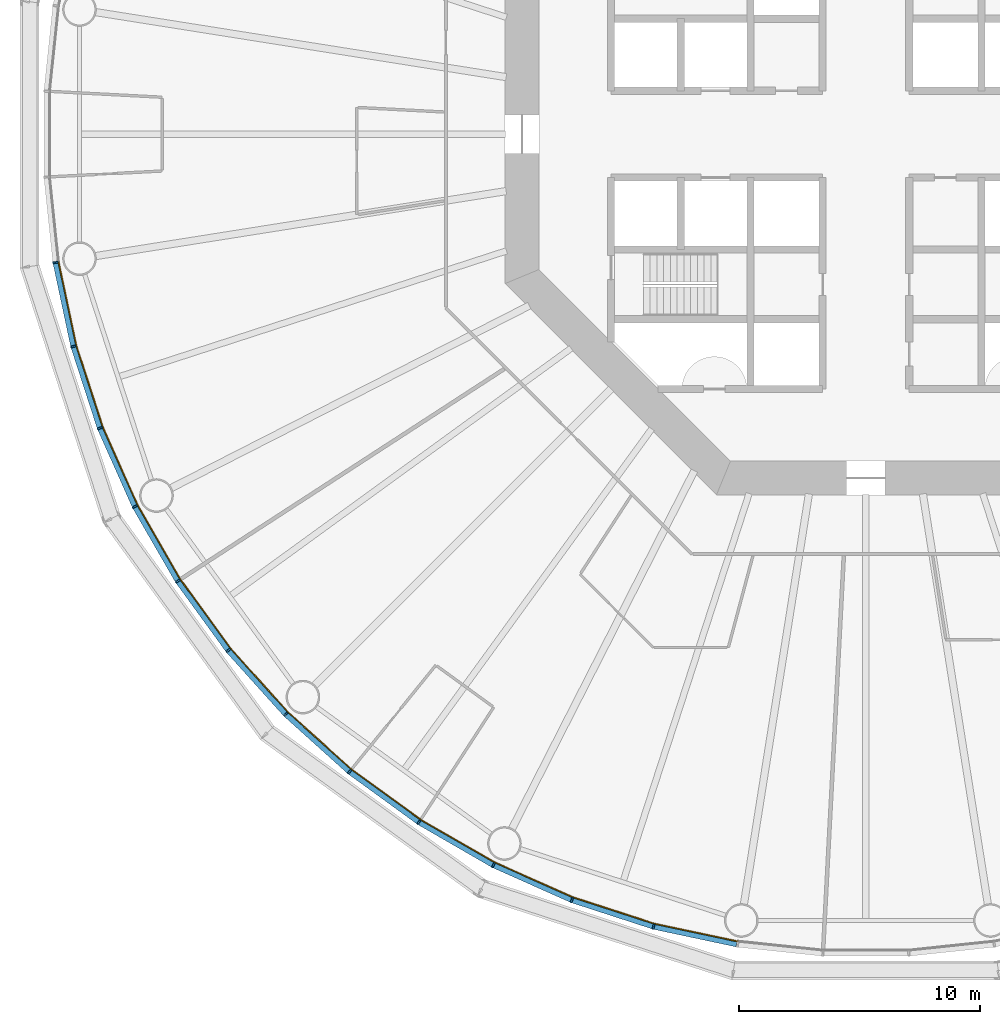
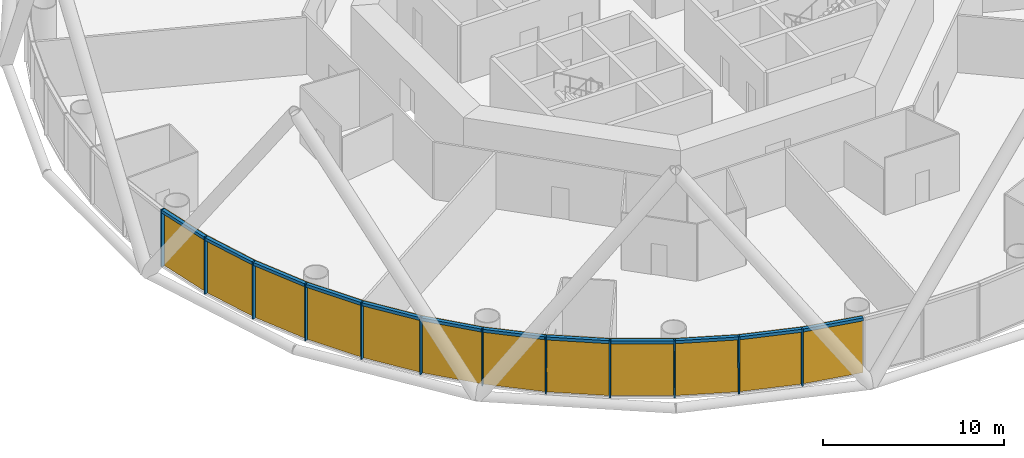
# One storey, part 7 of 13: 24 members, 4 curtain walls.
"""IFC4 building model written with IfcOpenShell, lengths in metres."""

from ifc_helpers import new_model, si_unit, direction, frame, origin, origin_2d, place, context, subcontext, project, spatial, polyline, rectangle, outline, extrude, material, layer, layer_set, material_profile, profile_set, type_object, element, aggregate, save


model = new_model("IFC4")

# Units and contexts
model_context = context("Model", 3, precision=1e-05, world=origin(), true_north=direction((0.0, 1.0)))
body_context = subcontext(model_context, "Body", "Model", "MODEL_VIEW")
ifc_project = project(units=[si_unit("LENGTHUNIT", "METRE"), si_unit("AREAUNIT", "SQUARE_METRE"), si_unit("VOLUMEUNIT", "CUBIC_METRE"), si_unit("PLANEANGLEUNIT", "RADIAN"), si_unit("MASSUNIT", "GRAM", prefix="KILO")], contexts=[model_context])

# Member
ifc_material_1 = material(Name="Anodised aluminium", Category="aluminium")
ifc_material_profile_1 = material_profile(ifc_material_1, rectangle(XDim=0.074951171875, YDim=0.219970703125, at=origin_2d()), Name="Mullion 75 x 220 mm anodised aluminium")
ifc_profile_set_1 = profile_set([ifc_material_profile_1], Name="Anodised aluminium")
member_type_1 = type_object("IfcMemberType", Name="Mullion 75 x 220 mm anodised aluminium", PredefinedType="MULLION", material=ifc_profile_set_1)
site_placement = place(None, origin())
building_placement = place(site_placement, origin())
storey_placement = place(building_placement, frame((0.0, 0.0, 38.0)))
member_1_placement = place(storey_placement, frame((56.31005859375, 74.6640625, 0.0), z_axis=(0.0, 0.0, 1.0), x_axis=(0.15643446504, -0.987688340595, 0.0)))
member_1 = element("IfcMember", 1, at=member_1_placement, type_object=member_type_1, Name="MULLION L07-30", PredefinedType="MULLION", context=body_context, shape_type="SweptSolid", body=[
    extrude(rectangle(XDim=0.074951171875, YDim=0.219970703125, at=origin_2d()), origin(), (0.0, 0.0, 1.0), 3.85009765625),
])

member_2_placement = place(storey_placement, frame((57.05224609375, 71.171630859375, 0.0), z_axis=(0.0, 0.0, 1.0), x_axis=(0.258819045103, -0.965925826289, 0.0)))
member_2 = element("IfcMember", 2, at=member_2_placement, type_object=member_type_1, Name="MULLION L07-31", PredefinedType="MULLION", context=body_context, shape_type="SweptSolid", body=[
    extrude(rectangle(XDim=0.074951171875, YDim=0.219970703125, at=origin_2d()), origin(), (0.0, 0.0, 1.0), 3.85009765625),
])

member_3_placement = place(storey_placement, frame((58.155517578125, 67.776123046875, 0.0), z_axis=(0.0, 0.0, 1.0), x_axis=(0.358367949545, -0.933580426497, 0.0)))
member_3 = element("IfcMember", 3, at=member_3_placement, type_object=member_type_1, Name="MULLION L07-32", PredefinedType="MULLION", context=body_context, shape_type="SweptSolid", body=[
    extrude(rectangle(XDim=0.074951171875, YDim=0.219970703125, at=origin_2d()), origin(), (0.0, 0.0, 1.0), 3.85009765625),
])

member_4_placement = place(storey_placement, frame((59.607666015625, 64.514404296875, 0.0), z_axis=(0.0, 0.0, 1.0), x_axis=(0.45399049974, -0.891006524188, 0.0)))
member_4 = element("IfcMember", 4, at=member_4_placement, type_object=member_type_1, Name="MULLION L07-33", PredefinedType="MULLION", context=body_context, shape_type="SweptSolid", body=[
    extrude(rectangle(XDim=0.074951171875, YDim=0.219970703125, at=origin_2d()), origin(), (0.0, 0.0, 1.0), 3.85009765625),
])

member_5_placement = place(storey_placement, frame((61.39306640625, 61.42236328125, 0.0), z_axis=(0.0, 0.0, 1.0), x_axis=(0.544639035015, -0.838670567945, 0.0)))
member_5 = element("IfcMember", 5, at=member_5_placement, type_object=member_type_1, Name="MULLION L07-34", PredefinedType="MULLION", context=body_context, shape_type="SweptSolid", body=[
    extrude(rectangle(XDim=0.074951171875, YDim=0.219970703125, at=origin_2d()), origin(), (0.0, 0.0, 1.0), 3.85009765625),
])

member_6_placement = place(storey_placement, frame((63.491455078125, 58.533935546875, 0.0), z_axis=(0.0, 0.0, 1.0), x_axis=(0.62932039105, -0.777145961457, 0.0)))
member_6 = element("IfcMember", 6, at=member_6_placement, type_object=member_type_1, Name="MULLION L07-35", PredefinedType="MULLION", context=body_context, shape_type="SweptSolid", body=[
    extrude(rectangle(XDim=0.074951171875, YDim=0.219970703125, at=origin_2d()), origin(), (0.0, 0.0, 1.0), 3.85009765625),
])

member_7_placement = place(storey_placement, frame((65.880615234375, 55.880615234375, 0.0), z_axis=(0.0, 0.0, 1.0), x_axis=(0.707106781187, -0.707106781187, 0.0)))
member_7 = element("IfcMember", 7, at=member_7_placement, type_object=member_type_1, Name="MULLION L07-36", PredefinedType="MULLION", context=body_context, shape_type="SweptSolid", body=[
    extrude(rectangle(XDim=0.074951171875, YDim=0.219970703125, at=origin_2d()), origin(), (0.0, 0.0, 1.0), 3.85009765625),
])

member_8_placement = place(storey_placement, frame((68.533935546875, 53.491455078125, 0.0), z_axis=(0.0, 0.0, 1.0), x_axis=(0.777145961457, -0.62932039105, 0.0)))
member_8 = element("IfcMember", 8, at=member_8_placement, type_object=member_type_1, Name="MULLION L07-37", PredefinedType="MULLION", context=body_context, shape_type="SweptSolid", body=[
    extrude(rectangle(XDim=0.074951171875, YDim=0.219970703125, at=origin_2d()), origin(), (0.0, 0.0, 1.0), 3.85009765625),
])

member_9_placement = place(storey_placement, frame((71.42236328125, 51.39306640625, 0.0), z_axis=(0.0, 0.0, 1.0), x_axis=(0.838670567945, -0.544639035015, 0.0)))
member_9 = element("IfcMember", 9, at=member_9_placement, type_object=member_type_1, Name="MULLION L07-38", PredefinedType="MULLION", context=body_context, shape_type="SweptSolid", body=[
    extrude(rectangle(XDim=0.074951171875, YDim=0.219970703125, at=origin_2d()), origin(), (0.0, 0.0, 1.0), 3.85009765625),
])

member_10_placement = place(storey_placement, frame((74.514404296875, 49.607666015625, 0.0), z_axis=(0.0, 0.0, 1.0), x_axis=(0.891006524188, -0.45399049974, 0.0)))
member_10 = element("IfcMember", 10, at=member_10_placement, type_object=member_type_1, Name="MULLION L07-39", PredefinedType="MULLION", context=body_context, shape_type="SweptSolid", body=[
    extrude(rectangle(XDim=0.074951171875, YDim=0.219970703125, at=origin_2d()), origin(), (0.0, 0.0, 1.0), 3.85009765625),
])

member_11_placement = place(storey_placement, frame((77.776123046875, 48.155517578125, 0.0), z_axis=(0.0, 0.0, 1.0), x_axis=(0.933580426497, -0.358367949545, 0.0)))
member_11 = element("IfcMember", 11, at=member_11_placement, type_object=member_type_1, Name="MULLION L07-40", PredefinedType="MULLION", context=body_context, shape_type="SweptSolid", body=[
    extrude(rectangle(XDim=0.074951171875, YDim=0.219970703125, at=origin_2d()), origin(), (0.0, 0.0, 1.0), 3.85009765625),
])

member_12_placement = place(storey_placement, frame((81.171630859375, 47.05224609375, 0.0), z_axis=(0.0, 0.0, 1.0), x_axis=(0.965925826289, -0.258819045103, 0.0)))
member_12 = element("IfcMember", 12, at=member_12_placement, type_object=member_type_1, Name="MULLION L07-41", PredefinedType="MULLION", context=body_context, shape_type="SweptSolid", body=[
    extrude(rectangle(XDim=0.074951171875, YDim=0.219970703125, at=origin_2d()), origin(), (0.0, 0.0, 1.0), 3.85009765625),
])

ifc_material_2 = material(Name="Anodised aluminium", Category="aluminium")
ifc_material_profile_2 = material_profile(ifc_material_2, rectangle(XDim=0.219970703125, YDim=0.199951171875, at=origin_2d()), Name="Transom 200 x 220 mm anodised aluminium")
ifc_profile_set_2 = profile_set([ifc_material_profile_2], Name="Anodised aluminium")
member_type_2 = type_object("IfcMemberType", Name="Transom 200 x 220 mm anodised aluminium", PredefinedType="USERDEFINED", material=ifc_profile_set_2)
member_13_placement = place(storey_placement, frame((56.31884765625, 74.62158203125, 3.75), z_axis=(0.207920776701, -0.978145669426, 0.0), x_axis=(0.978145669426, 0.207920776701, 0.0)))
member_13 = element("IfcMember", 13, at=member_13_placement, type_object=member_type_2, Name="TRANSOM L07-30", ObjectType="TRANSOM", PredefinedType="USERDEFINED", context=body_context, shape_type="SweptSolid", body=[
    extrude(rectangle(XDim=0.219970703125, YDim=0.199951171875, at=origin_2d()), origin(), (0.0, 0.0, 1.0), 3.48388671875),
])

member_14_placement = place(storey_placement, frame((57.0654296875, 71.130615234375, 3.75), z_axis=(0.309029029702, -0.951052605696, 0.0), x_axis=(0.951052605696, 0.309029029702, 0.0)))
member_14 = element("IfcMember", 14, at=member_14_placement, type_object=member_type_2, Name="TRANSOM L07-31", ObjectType="TRANSOM", PredefinedType="USERDEFINED", context=body_context, shape_type="SweptSolid", body=[
    extrude(rectangle(XDim=0.219970703125, YDim=0.199951171875, at=origin_2d()), origin(), (0.0, 0.0, 1.0), 3.484130859375),
])

member_15_placement = place(storey_placement, frame((58.173095703125, 67.736572265625, 3.75), z_axis=(0.406736576304, -0.913545487371, 0.0), x_axis=(0.913545487371, 0.406736576304, 0.0)))
member_15 = element("IfcMember", 15, at=member_15_placement, type_object=member_type_2, Name="TRANSOM L07-32", ObjectType="TRANSOM", PredefinedType="USERDEFINED", context=body_context, shape_type="SweptSolid", body=[
    extrude(rectangle(XDim=0.219970703125, YDim=0.199951171875, at=origin_2d()), origin(), (0.0, 0.0, 1.0), 3.48388671875),
])

member_16_placement = place(storey_placement, frame((59.629150390625, 64.476806640625, 3.75), z_axis=(0.500005538244, -0.866022206254, 0.0), x_axis=(0.866022206254, 0.500005538244, 0.0)))
member_16 = element("IfcMember", 16, at=member_16_placement, type_object=member_type_2, Name="TRANSOM L07-33", ObjectType="TRANSOM", PredefinedType="USERDEFINED", context=body_context, shape_type="SweptSolid", body=[
    extrude(rectangle(XDim=0.219970703125, YDim=0.199951171875, at=origin_2d()), origin(), (0.0, 0.0, 1.0), 3.48388671875),
])

member_17_placement = place(storey_placement, frame((61.418212890625, 61.38720703125, 3.75), z_axis=(0.587821627006, -0.80899056535, 0.0), x_axis=(0.80899056535, 0.587821627006, 0.0)))
member_17 = element("IfcMember", 17, at=member_17_placement, type_object=member_type_2, Name="TRANSOM L07-34", ObjectType="TRANSOM", PredefinedType="USERDEFINED", context=body_context, shape_type="SweptSolid", body=[
    extrude(rectangle(XDim=0.219970703125, YDim=0.199951171875, at=origin_2d()), origin(), (0.0, 0.0, 1.0), 3.48388671875),
])

member_18_placement = place(storey_placement, frame((63.520263671875, 58.501708984375, 3.75), z_axis=(0.669138930974, -0.743137329876, 0.0), x_axis=(0.743137329876, 0.669138930974, 0.0)))
member_18 = element("IfcMember", 18, at=member_18_placement, type_object=member_type_2, Name="TRANSOM L07-35", ObjectType="TRANSOM", PredefinedType="USERDEFINED", context=body_context, shape_type="SweptSolid", body=[
    extrude(rectangle(XDim=0.219970703125, YDim=0.199951171875, at=origin_2d()), origin(), (0.0, 0.0, 1.0), 3.484130859375),
])

member_19_placement = place(storey_placement, frame((65.91259765625, 55.8515625, 3.75), z_axis=(0.743137329876, -0.669138930974, 0.0), x_axis=(0.669138930974, 0.743137329876, 0.0)))
member_19 = element("IfcMember", 19, at=member_19_placement, type_object=member_type_2, Name="TRANSOM L07-36", ObjectType="TRANSOM", PredefinedType="USERDEFINED", context=body_context, shape_type="SweptSolid", body=[
    extrude(rectangle(XDim=0.219970703125, YDim=0.199951171875, at=origin_2d()), origin(), (0.0, 0.0, 1.0), 3.484130859375),
])

member_20_placement = place(storey_placement, frame((68.56884765625, 53.466064453125, 3.75), z_axis=(0.80899056535, -0.587821627006, 0.0), x_axis=(0.587821627006, 0.80899056535, 0.0)))
member_20 = element("IfcMember", 20, at=member_20_placement, type_object=member_type_2, Name="TRANSOM L07-37", ObjectType="TRANSOM", PredefinedType="USERDEFINED", context=body_context, shape_type="SweptSolid", body=[
    extrude(rectangle(XDim=0.219970703125, YDim=0.199951171875, at=origin_2d()), origin(), (0.0, 0.0, 1.0), 3.48388671875),
])

member_21_placement = place(storey_placement, frame((71.459716796875, 51.37109375, 3.75), z_axis=(0.866022206254, -0.500005538244, 0.0), x_axis=(0.500005538244, 0.866022206254, 0.0)))
member_21 = element("IfcMember", 21, at=member_21_placement, type_object=member_type_2, Name="TRANSOM L07-38", ObjectType="TRANSOM", PredefinedType="USERDEFINED", context=body_context, shape_type="SweptSolid", body=[
    extrude(rectangle(XDim=0.219970703125, YDim=0.199951171875, at=origin_2d()), origin(), (0.0, 0.0, 1.0), 3.48388671875),
])

member_22_placement = place(storey_placement, frame((74.553955078125, 49.590087890625, 3.75), z_axis=(0.913545487371, -0.406736576304, 0.0), x_axis=(0.406736576304, 0.913545487371, 0.0)))
member_22 = element("IfcMember", 22, at=member_22_placement, type_object=member_type_2, Name="TRANSOM L07-39", ObjectType="TRANSOM", PredefinedType="USERDEFINED", context=body_context, shape_type="SweptSolid", body=[
    extrude(rectangle(XDim=0.219970703125, YDim=0.199951171875, at=origin_2d()), origin(), (0.0, 0.0, 1.0), 3.48388671875),
])

member_23_placement = place(storey_placement, frame((77.817138671875, 48.14208984375, 3.75), z_axis=(0.951052605696, -0.309029029702, 0.0), x_axis=(0.309029029702, 0.951052605696, 0.0)))
member_23 = element("IfcMember", 23, at=member_23_placement, type_object=member_type_2, Name="TRANSOM L07-40", ObjectType="TRANSOM", PredefinedType="USERDEFINED", context=body_context, shape_type="SweptSolid", body=[
    extrude(rectangle(XDim=0.219970703125, YDim=0.199951171875, at=origin_2d()), origin(), (0.0, 0.0, 1.0), 3.484130859375),
])

member_24_placement = place(storey_placement, frame((81.2138671875, 47.043212890625, 3.75), z_axis=(0.978145669426, -0.207920776701, 0.0), x_axis=(0.207920776701, 0.978145669426, 0.0)))
member_24 = element("IfcMember", 24, at=member_24_placement, type_object=member_type_2, Name="TRANSOM L07-41", ObjectType="TRANSOM", PredefinedType="USERDEFINED", context=body_context, shape_type="SweptSolid", body=[
    extrude(rectangle(XDim=0.219970703125, YDim=0.199951171875, at=origin_2d()), origin(), (0.0, 0.0, 1.0), 3.48388671875),
])

# Site, building, storey
site = spatial("IfcSite", under=ifc_project, at=site_placement, CompositionType="ELEMENT")
building = spatial("IfcBuilding", under=site, at=building_placement, Name="Entoto Ring Tower", CompositionType="ELEMENT")
storey = spatial("IfcBuildingStorey", under=building, at=storey_placement, Name="L07", CompositionType="ELEMENT", Elevation=38.0)

# Curtain wall
ifc_material_3 = material(Name="Clear low-iron glass", Category="glass")
ifc_layer = layer(ifc_material_3, 0.0400390625)
ifc_layer_set = layer_set([ifc_layer], Name="Clear low-iron glass")
curtain_wall_type = type_object("IfcCurtainWallType", Name="Curtain wall system CW1 glazing 40 mm", PredefinedType="NOTDEFINED", material=ifc_layer_set)
curtain_wall_1_placement = place(storey_placement, origin())
curtain_wall_1 = element("IfcCurtainWall", 25, at=curtain_wall_1_placement, inside=storey, type_object=curtain_wall_type, Name="CW1 L07-11", PredefinedType="NOTDEFINED", context=body_context, shape_type="SweptSolid", body=[
    extrude(outline(polyline([(56.418701171875, 74.68115234375), (57.158447265625, 71.2001953125), (58.25830078125, 67.8154296875), (59.705810546875, 64.564208984375), (59.741455078125, 64.58251953125), (58.295654296875, 67.829833984375), (57.197265625, 71.21044921875), (56.458251953125, 74.6875), (56.418701171875, 74.68115234375)])), origin(), (0.0, 0.0, 1.0), 3.85009765625),
])

aggregate(curtain_wall_1, [member_1, member_2, member_3, member_13, member_14, member_15])

curtain_wall_2_placement = place(storey_placement, origin())
curtain_wall_2 = element("IfcCurtainWall", 26, at=curtain_wall_2_placement, inside=storey, type_object=curtain_wall_type, Name="CW1 L07-12", PredefinedType="NOTDEFINED", context=body_context, shape_type="SweptSolid", body=[
    extrude(outline(polyline([(59.705810546875, 64.564208984375), (61.485107421875, 61.482177734375), (63.5771484375, 58.60302734375), (65.958251953125, 55.958251953125), (65.986572265625, 55.986572265625), (63.608154296875, 58.62841796875), (61.518798828125, 61.504150390625), (59.741455078125, 64.58251953125), (59.705810546875, 64.564208984375)])), origin(), (0.0, 0.0, 1.0), 3.85009765625),
])

aggregate(curtain_wall_2, [member_4, member_5, member_6, member_16, member_17, member_18])

curtain_wall_3_placement = place(storey_placement, origin())
curtain_wall_3 = element("IfcCurtainWall", 27, at=curtain_wall_3_placement, inside=storey, type_object=curtain_wall_type, Name="CW1 L07-13", PredefinedType="NOTDEFINED", context=body_context, shape_type="SweptSolid", body=[
    extrude(outline(polyline([(65.958251953125, 55.958251953125), (68.60302734375, 53.5771484375), (71.482177734375, 51.485107421875), (74.564208984375, 49.705810546875), (74.58251953125, 49.741455078125), (71.504150390625, 51.518798828125), (68.62841796875, 53.608154296875), (65.986572265625, 55.986572265625), (65.958251953125, 55.958251953125)])), origin(), (0.0, 0.0, 1.0), 3.85009765625),
])

aggregate(curtain_wall_3, [member_7, member_8, member_9, member_19, member_20, member_21])

curtain_wall_4_placement = place(storey_placement, origin())
curtain_wall_4 = element("IfcCurtainWall", 28, at=curtain_wall_4_placement, inside=storey, type_object=curtain_wall_type, Name="CW1 L07-14", PredefinedType="NOTDEFINED", context=body_context, shape_type="SweptSolid", body=[
    extrude(outline(polyline([(74.564208984375, 49.705810546875), (77.8154296875, 48.25830078125), (81.2001953125, 47.158447265625), (84.68115234375, 46.418701171875), (84.6875, 46.458251953125), (81.21044921875, 47.197265625), (77.829833984375, 48.295654296875), (74.58251953125, 49.741455078125), (74.564208984375, 49.705810546875)])), origin(), (0.0, 0.0, 1.0), 3.85009765625),
])

aggregate(curtain_wall_4, [member_10, member_11, member_12, member_22, member_23, member_24])

save(model, "model.ifc")
